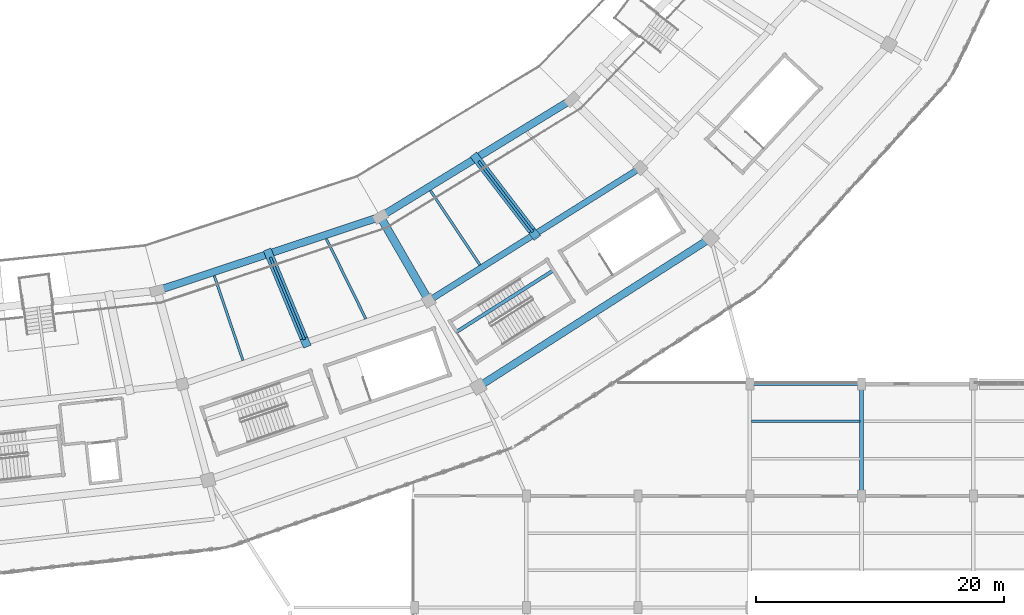
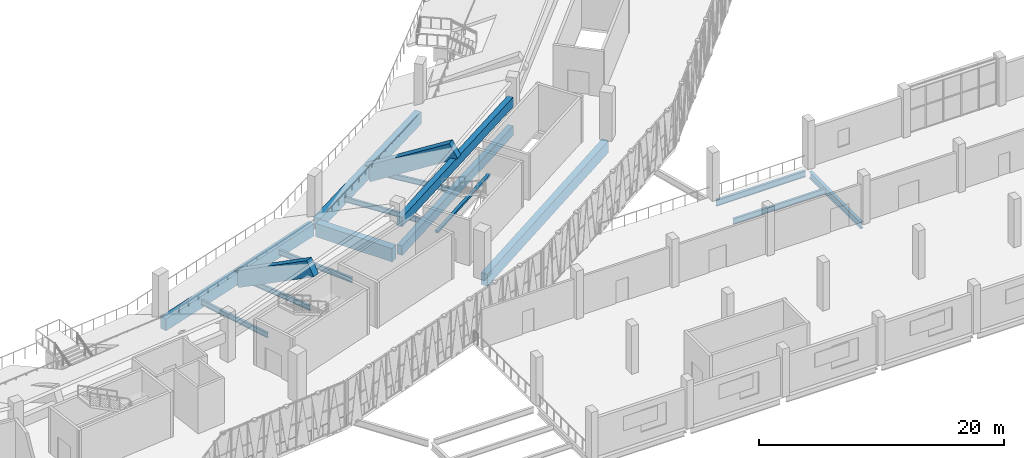
# One storey, part 29 of 152: 17 beams.
"""IFC4 building model written with IfcOpenShell, lengths in metres."""

import ifcopenshell
import ifcopenshell.guid

model = None  # the IFC model being written
_history = None  # IfcOwnerHistory: only IFC2X3 demands one
_inside = {}  # id of a spatial element -> (the spatial element, [elements in it])
_under = {}  # id of a project, library or spatial element -> (it, [spatial elements below it])
_declared = {}  # id of a project -> (the project, [libraries it declares])
_typed = {}  # id of a type object -> (the type object, [elements of that type])
_made_of = {}  # id of a material, layer set ... -> (it, [elements and type objects made of it])


def new_model(schema):
    """Start an empty IFC model of exactly this schema.

    Asked for "IFC4X3", IfcOpenShell would pick the latest addendum, in which some entities
    have other attributes; the version numbers below select the first issue.
    IFC2X3 requires an IfcOwnerHistory on every rooted entity: one is made here for all.
    """
    global model, _history
    if schema == "IFC4X3":
        model = ifcopenshell.file(schema_version=(4, 3, 0, 0))
    else:
        model = ifcopenshell.file(schema=schema)
    _inside.clear()
    _under.clear()
    _declared.clear()
    _typed.clear()
    _made_of.clear()
    _history = None
    if model.schema == "IFC2X3":
        org = make("IfcOrganization", Name="unknown")
        user = make(
            "IfcPersonAndOrganization",
            ThePerson=make("IfcPerson", FamilyName="unknown"),
            TheOrganization=org,
        )
        app = make(
            "IfcApplication",
            ApplicationDeveloper=org,
            Version="unknown",
            ApplicationFullName="unknown",
            ApplicationIdentifier="unknown",
        )
        _history = make(
            "IfcOwnerHistory",
            OwningUser=user,
            OwningApplication=app,
            ChangeAction="ADDED",
            CreationDate=0,
        )
    return model


def make(cls, **values):
    """One entity of the class cls with the attributes given. An attribute that is None is left unset."""
    return model.create_entity(
        cls, **{name: value for name, value in values.items() if value is not None}
    )


def rooted(cls, **values):
    """An entity with a GlobalId (a new one), such as an element, a storey or a relation."""
    return make(cls, GlobalId=ifcopenshell.guid.new(), OwnerHistory=_history, **values)


def si_unit(unit_type, name, prefix=None):
    """IfcSIUnit, for example si_unit("LENGTHUNIT", "METRE", prefix="MILLI")."""
    return make("IfcSIUnit", UnitType=unit_type, Prefix=prefix, Name=name)


def assignment(units):
    """IfcUnitAssignment: the units of a project."""
    return None if units is None else make("IfcUnitAssignment", Units=units)


def point(xyz):
    """IfcCartesianPoint."""
    return None if xyz is None else make("IfcCartesianPoint", Coordinates=xyz)


def direction(xyz):
    """IfcDirection."""
    return None if xyz is None else make("IfcDirection", DirectionRatios=xyz)


def frame(location, z_axis=None, x_axis=None):
    """IfcAxis2Placement3D, a coordinate frame: its origin and axes. An axis left out is left unset."""
    return make(
        "IfcAxis2Placement3D",
        Location=point(location),
        Axis=direction(z_axis),
        RefDirection=direction(x_axis),
    )


def frame_2d(location, x_axis=None):
    """IfcAxis2Placement2D, a coordinate frame in the plane: its origin and x axis."""
    return make(
        "IfcAxis2Placement2D", Location=point(location), RefDirection=direction(x_axis)
    )


def origin():
    """The frame at (0, 0, 0) with its axes left unset."""
    return frame((0.0, 0.0, 0.0))


def origin_2d():
    """The frame at (0, 0) in the plane with its x axis left unset."""
    return frame_2d((0.0, 0.0))


def place(relative_to, where):
    """IfcLocalPlacement: puts the frame where relative to a parent placement (None: the world)."""
    return make(
        "IfcLocalPlacement", PlacementRelTo=relative_to, RelativePlacement=where
    )


def context(
    kind, dimensions, precision=None, world=None, true_north=None, identifier=None
):
    """IfcGeometricRepresentationContext, for example the 3D "Model" context."""
    return make(
        "IfcGeometricRepresentationContext",
        ContextIdentifier=identifier,
        ContextType=kind,
        CoordinateSpaceDimension=dimensions,
        Precision=precision,
        WorldCoordinateSystem=world,
        TrueNorth=true_north,
    )


def subcontext(parent, identifier, kind, view, scale=None):
    """IfcGeometricRepresentationSubContext, for example "Body" below "Model"."""
    return make(
        "IfcGeometricRepresentationSubContext",
        ContextIdentifier=identifier,
        ContextType=kind,
        ParentContext=parent,
        TargetScale=scale,
        TargetView=view,
    )


def project(units=None, contexts=None):
    """IfcProject with its units and contexts."""
    return rooted(
        "IfcProject",
        Name="project",
        RepresentationContexts=contexts,
        UnitsInContext=assignment(units),
    )


def spatial(cls, under=None, at=None, **own):
    """A site, building, storey or space (cls), placed at a placement, below another one or the project."""
    s = rooted(cls, ObjectPlacement=at, **own)
    if under is not None:
        _under.setdefault(under.id(), (under, []))[1].append(s)
    return s


def profile(cls, at=None, kind="AREA", **sizes):
    """A parametric profile (cls). Its sizes go by their IFC names, for example OverallWidth=200.0."""
    return make(cls, ProfileType=kind, Position=at, **sizes)


def rectangle(**sizes):
    """IfcRectangleProfileDef."""
    return profile("IfcRectangleProfileDef", **sizes)


def i_section(**sizes):
    """IfcIShapeProfileDef."""
    return profile("IfcIShapeProfileDef", **sizes)


def extrude(swept, where, along, depth):
    """IfcExtrudedAreaSolid: the profile swept, set in the frame where, extruded along a direction by depth."""
    return make(
        "IfcExtrudedAreaSolid",
        SweptArea=swept,
        Position=where,
        ExtrudedDirection=direction(along),
        Depth=depth,
    )


def shape(context_of_items, identifier, shape_type, items):
    """IfcShapeRepresentation: the items that make up one representation, for example the "Body"."""
    return make(
        "IfcShapeRepresentation",
        ContextOfItems=context_of_items,
        RepresentationIdentifier=identifier,
        RepresentationType=shape_type,
        Items=items,
    )


def material(Name=None, Category=None):
    """IfcMaterial."""
    return make("IfcMaterial", Name=Name, Category=Category)


def material_profile(
    of_material, cross_section, Name=None, Category=None, Priority=None
):
    """IfcMaterialProfile: a cross section and its material."""
    return make(
        "IfcMaterialProfile",
        Name=Name,
        Material=of_material,
        Profile=cross_section,
        Priority=Priority,
        Category=Category,
    )


def profile_set(profiles, Name=None, composite=None):
    """IfcMaterialProfileSet."""
    return make(
        "IfcMaterialProfileSet",
        Name=Name,
        MaterialProfiles=profiles,
        CompositeProfile=composite,
    )


def made_of(thing, what):
    """Note that an element or type object is made of a material, layer set ...; save() writes the relation."""
    if what is not None:
        _made_of.setdefault(what.id(), (what, []))[1].append(thing)
    return thing


def type_object(cls, material=None, **own):
    """A type object (cls), such as IfcWallType, which elements share."""
    return made_of(rooted(cls, **own), material)


def element(
    cls,
    number,
    at=None,
    inside=None,
    cuts=None,
    type_object=None,
    material=None,
    context=None,
    identifier="Body",
    shape_type=None,
    held_by="IfcProductDefinitionShape",
    body=None,
    shapes=None,
    **own,
):
    """One element of the class cls, such as IfcWall. Its Tag is "e" and its number.

    at: its placement. inside: the storey or other place that contains it. cuts: it is an
    opening in that element (IfcRelVoidsElement). A single representation is given by context,
    identifier, shape_type and body (its items); several are given by shapes. held_by: the class
    of the entity that holds the representations. save() writes the other relations.
    """
    e = rooted(cls, Tag="e%d" % number, ObjectPlacement=at, **own)
    if body is not None:
        shapes = [shape(context, identifier, shape_type, body)]
    if shapes is not None:
        e.Representation = make(held_by, Representations=shapes)
    if inside is not None:
        _inside.setdefault(inside.id(), (inside, []))[1].append(e)
    if cuts is not None:
        rooted(
            "IfcRelVoidsElement", RelatingBuildingElement=cuts, RelatedOpeningElement=e
        )
    if type_object is not None:
        _typed.setdefault(type_object.id(), (type_object, []))[1].append(e)
    return made_of(e, material)


def aggregate(whole, parts):
    """IfcRelAggregates: a whole, such as a stair, and the parts it consists of."""
    return rooted("IfcRelAggregates", RelatingObject=whole, RelatedObjects=parts)


def save(model, path):
    """Write the relations noted so far, then the file.

    IfcRelAggregates (storeys below a building ...), IfcRelContainedInSpatialStructure (elements
    in a storey), IfcRelDefinesByType, IfcRelAssociatesMaterial and IfcRelDeclares: one each for
    every whole, place, type object, material and project.
    """
    for whole, parts in _under.values():
        aggregate(whole, parts)
    for where, things in _inside.values():
        rooted(
            "IfcRelContainedInSpatialStructure",
            RelatedElements=things,
            RelatingStructure=where,
        )
    for kind, things in _typed.values():
        rooted("IfcRelDefinesByType", RelatedObjects=things, RelatingType=kind)
    for what, things in _made_of.values():
        rooted("IfcRelAssociatesMaterial", RelatedObjects=things, RelatingMaterial=what)
    for by, libraries in _declared.values():
        rooted("IfcRelDeclares", RelatingContext=by, RelatedDefinitions=libraries)
    model.write(path)


model = new_model("IFC4")

# Units and contexts
model_context = context("Model", 3, precision=1e-05, world=origin(), true_north=direction((0.0, 1.0)))
body_context = subcontext(model_context, "Body", "Model", "MODEL_VIEW")
ifc_project = project(units=[si_unit("LENGTHUNIT", "METRE"), si_unit("AREAUNIT", "SQUARE_METRE"), si_unit("VOLUMEUNIT", "CUBIC_METRE"), si_unit("PLANEANGLEUNIT", "RADIAN"), si_unit("MASSUNIT", "GRAM", prefix="KILO")], contexts=[model_context])

# Site, building, storey
site_placement = place(None, origin())
site = spatial("IfcSite", under=ifc_project, at=site_placement, CompositionType="ELEMENT")
building_placement = place(site_placement, origin())
building = spatial("IfcBuilding", under=site, at=building_placement, Name="Zevraka Park Crest Stadium", CompositionType="ELEMENT")
storey_placement = place(building_placement, frame((0.0, 0.0, 15.0)))
storey = spatial("IfcBuildingStorey", under=building, at=storey_placement, Name="L03", CompositionType="ELEMENT", Elevation=15.0)

# Beams
ifc_material_1 = material(Name="Concrete C40/50", Category="concrete")
ifc_material_profile_1 = material_profile(ifc_material_1, rectangle(XDim=0.64990234375, YDim=1.35009765625, at=origin_2d()), Name="RC 1350x650")
ifc_profile_set_1 = profile_set([ifc_material_profile_1], Name="Concrete C40/50")
beam_type_1 = type_object("IfcBeamType", Name="BG01", PredefinedType="BEAM", material=ifc_profile_set_1)
beam_1_placement = place(storey_placement, frame((149.39990234375, 40.2109375, -0.68505859375), z_axis=(0.500041424909, -0.866001485781, 0.0), x_axis=(0.866001485781, 0.500041424909, 0.0)))
element("IfcBeam", 1, at=beam_1_placement, inside=storey, type_object=beam_type_1, Name="Radial Girder BG01 L03-BC-20", PredefinedType="BEAM", context=body_context, shape_type="SweptSolid", body=[
    extrude(rectangle(XDim=0.64990234375, YDim=1.35009765625, at=origin_2d()), origin(), (0.0, 0.0, 1.0), 7.19970703125),
])
ifc_material_2 = material(Name="Steel S355", Category="steel")
ifc_material_profile_2 = material_profile(ifc_material_2, i_section(OverallWidth=0.300048828125, OverallDepth=0.64990234375, WebThickness=0.01611328125, FlangeThickness=0.031005859375, at=origin_2d()), Name="HEB 650")
ifc_profile_set_2 = profile_set([ifc_material_profile_2], Name="Steel S355")
beam_type_2 = type_object("IfcBeamType", Name="BG07", PredefinedType="BEAM", material=ifc_profile_set_2)
beam_2_placement = place(storey_placement, frame((188.0, 18.300048828125, -0.633056640625), z_axis=(0.0, 1.0, 0.0), x_axis=(-1.0, 0.0, 0.0)))
element("IfcBeam", 2, at=beam_2_placement, inside=storey, type_object=beam_type_2, Name="Wing Girder BG07 L03-21/CD", PredefinedType="BEAM", context=body_context, shape_type="SweptSolid", body=[
    extrude(i_section(OverallWidth=0.300048828125, OverallDepth=0.64990234375, WebThickness=0.01611328125, FlangeThickness=0.031005859375, at=origin_2d()), origin(), (0.0, 0.0, 1.0), 8.39990234375),
])
ifc_material_3 = material(Name="Steel S355", Category="steel")
ifc_material_profile_3 = material_profile(ifc_material_3, i_section(OverallWidth=0.22900390625, OverallDepth=0.612060546875, WebThickness=0.011962890625, FlangeThickness=0.01953125, at=origin_2d()), Name="UKB 610x229x125")
ifc_profile_set_3 = profile_set([ifc_material_profile_3], Name="Steel S355")
beam_type_3 = type_object("IfcBeamType", Name="BG09", PredefinedType="BEAM", material=ifc_profile_set_3)
beam_3_placement = place(storey_placement, frame((179.300048828125, 27.0, -0.614013671875), z_axis=(1.0, 0.0, 0.0), x_axis=(0.0, 1.0, 0.0)))
element("IfcBeam", 3, at=beam_3_placement, inside=storey, type_object=beam_type_3, Name="Wing Girder BG09 L03-2021/D", PredefinedType="BEAM", context=body_context, shape_type="SweptSolid", body=[
    extrude(i_section(OverallWidth=0.22900390625, OverallDepth=0.612060546875, WebThickness=0.011962890625, FlangeThickness=0.01953125, at=origin_2d()), origin(), (0.0, 0.0, 1.0), 8.39990234375),
])
ifc_material_4 = material(Name="Concrete C40/50", Category="concrete")
ifc_material_profile_4 = material_profile(ifc_material_4, rectangle(XDim=0.60009765625, YDim=1.199951171875, at=origin_2d()), Name="RC 1200x600")
ifc_profile_set_4 = profile_set([ifc_material_profile_4], Name="Concrete C40/50")
beam_type_4 = type_object("IfcBeamType", Name="RB01", PredefinedType="BEAM", material=ifc_profile_set_4)
beam_4_placement = place(storey_placement, frame((131.64306640625, 34.64599609375, -0.610107421875), z_axis=(0.949383863235, 0.314118258349, 0.0), x_axis=(-0.314118258349, 0.949383863235, 0.0)))
element("IfcBeam", 4, at=beam_4_placement, inside=storey, type_object=beam_type_4, Name="Ring Beam RB01 L03-B-19", PredefinedType="BEAM", context=body_context, shape_type="SweptSolid", body=[
    extrude(rectangle(XDim=0.60009765625, YDim=1.199951171875, at=origin_2d()), origin(), (0.0, 0.0, 1.0), 18.165283203125),
])
beam_5_placement = place(storey_placement, frame((149.573974609375, 40.669921875, -0.610107421875), z_axis=(0.852632623571, 0.522510869956, 0.0), x_axis=(-0.522510869956, 0.852632623571, 0.0)))
element("IfcBeam", 5, at=beam_5_placement, inside=storey, type_object=beam_type_4, Name="Ring Beam RB01 L03-B-20", PredefinedType="BEAM", context=body_context, shape_type="SweptSolid", body=[
    extrude(rectangle(XDim=0.60009765625, YDim=1.199951171875, at=origin_2d()), origin(), (0.0, 0.0, 1.0), 17.335693359375),
])
beam_6_placement = place(storey_placement, frame((157.469970703125, 26.992919921875, -0.610107421875), z_axis=(0.842325571453, 0.538969045193, 0.0), x_axis=(-0.538969045193, 0.842325571453, 0.0)))
element("IfcBeam", 6, at=beam_6_placement, inside=storey, type_object=beam_type_4, Name="Ring Beam RB01 L03-D-20", PredefinedType="BEAM", context=body_context, shape_type="SweptSolid", body=[
    extrude(rectangle(XDim=0.60009765625, YDim=1.199951171875, at=origin_2d()), origin(), (0.0, 0.0, 1.0), 21.443115234375),
])
ifc_material_5 = material(Name="Concrete C40/50", Category="concrete")
ifc_material_profile_5 = material_profile(ifc_material_5, rectangle(XDim=0.5, YDim=0.949951171875, at=origin_2d()), Name="RC 950x500")
ifc_profile_set_5 = profile_set([ifc_material_profile_5], Name="Concrete C40/50")
beam_type_5 = type_object("IfcBeamType", Name="RB02", PredefinedType="BEAM", material=ifc_profile_set_5)
for number, where, z_axis, x_axis, name in (
    (7, (153.471923828125, 33.91796875, -0.485107421875), (0.847038516183, 0.531531515625, 0.0), (-0.531531515625, 0.847038516183, 0.0), "Ring Beam RB02 L03-C-20"),
    (8, (153.471923828125, 33.91796875, 2.375), (0.847038516183, 0.531531515625, 0.0), (-0.531531515625, 0.847038516183, 0.0), "Upper Tier Head Raker Ring Beam RB02 20"),
):
    element("IfcBeam", number, at=place(storey_placement, frame(where, z_axis=z_axis, x_axis=x_axis)), inside=storey, type_object=beam_type_5, Name=name, PredefinedType="BEAM", context=body_context, shape_type="SweptSolid", body=[
        extrude(rectangle(XDim=0.5, YDim=0.949951171875, at=origin_2d()), origin(), (0.0, 0.0, 1.0), 19.36279296875),
    ])
ifc_material_6 = material(Name="Concrete C40/50", Category="concrete")
ifc_material_profile_6 = material_profile(ifc_material_6, rectangle(XDim=0.64990234375, YDim=1.5, at=origin_2d()), Name="RC 1500x650")
ifc_profile_set_6 = profile_set([ifc_material_profile_6], Name="Concrete C40/50")
beam_type_6 = type_object("IfcBeamType", Name="RK02", PredefinedType="BEAM", material=ifc_profile_set_6)
beam_7_placement = place(storey_placement, frame((140.26611328125, 37.4990234375, -0.800048828125), z_axis=(0.333025449443, -0.803886737331, 0.492808445105), x_axis=(0.92386138518, 0.38272724096, 0.0)))
element("IfcBeam", 9, at=beam_7_placement, inside=storey, type_object=beam_type_6, Name="Upper Bowl Main Raker Girder RK02 19", PredefinedType="BEAM", context=body_context, shape_type="SweptSolid", body=[
    extrude(rectangle(XDim=0.64990234375, YDim=1.5, at=origin_2d()), origin(), (0.0, 0.0, 1.0), 8.88818359375),
])
beam_8_placement = place(storey_placement, frame((156.964111328125, 45.198974609375, -0.800048828125), z_axis=(0.529728491658, -0.690289735888, 0.492836489775), x_axis=(0.7933252828, 0.608797992499, 0.0)))
element("IfcBeam", 10, at=beam_8_placement, inside=storey, type_object=beam_type_6, Name="Upper Bowl Main Raker Girder RK02 20", PredefinedType="BEAM", context=body_context, shape_type="SweptSolid", body=[
    extrude(rectangle(XDim=0.64990234375, YDim=1.5, at=origin_2d()), origin(), (0.0, 0.0, 1.0), 8.8876953125),
])
ifc_material_7 = material(Name="Steel S355", Category="steel")
ifc_material_profile_7 = material_profile(ifc_material_7, i_section(OverallWidth=0.209228515625, OverallDepth=0.533203125, WebThickness=0.010009765625, FlangeThickness=0.015625, at=origin_2d()), Name="UKB 533x210x92")
ifc_profile_set_7 = profile_set([ifc_material_profile_7], Name="Steel S355")
beam_type_7 = type_object("IfcBeamType", Name="SJ05", PredefinedType="JOIST", material=ifc_profile_set_7)
beam_9_placement = place(storey_placement, frame((179.14501953125, 24.0, -0.57666015625), z_axis=(1.0, 0.0, 0.0), x_axis=(0.0, 1.0, 0.0)))
element("IfcBeam", 11, at=beam_9_placement, inside=storey, type_object=beam_type_7, Name="Wing Joist SJ05 L03-20/C-2", PredefinedType="JOIST", context=body_context, shape_type="SweptSolid", body=[
    extrude(i_section(OverallWidth=0.209228515625, OverallDepth=0.533203125, WebThickness=0.010009765625, FlangeThickness=0.015625, at=origin_2d()), origin(), (0.0, 0.0, 1.0), 8.7099609375),
])
ifc_material_8 = material(Name="Steel S355", Category="steel")
ifc_material_profile_8 = material_profile(ifc_material_8, i_section(OverallWidth=0.199951171875, OverallDepth=0.5, WebThickness=0.01025390625, FlangeThickness=0.01611328125, at=origin_2d()), Name="IPE 500")
ifc_profile_set_8 = profile_set([ifc_material_profile_8], Name="Steel S355")
beam_type_8 = type_object("IfcBeamType", Name="SJ10", PredefinedType="JOIST", material=ifc_profile_set_8)
beam_10_placement = place(storey_placement, frame((135.875, 35.715087890625, -0.55810546875), z_axis=(0.321275682742, -0.946985710388, 0.0), x_axis=(0.946985710388, 0.321275682742, 0.0)))
element("IfcBeam", 12, at=beam_10_placement, inside=storey, type_object=beam_type_8, Name="Floor Joist SJ10 L03-BC-19-1", PredefinedType="JOIST", context=body_context, shape_type="SweptSolid", body=[
    extrude(i_section(OverallWidth=0.199951171875, OverallDepth=0.5, WebThickness=0.01025390625, FlangeThickness=0.01611328125, at=origin_2d()), origin(), (0.0, 0.0, 1.0), 7.190185546875),
])
beam_11_placement = place(storey_placement, frame((140.386962890625, 37.2080078125, -0.55810546875), z_axis=(0.382700487371, -0.923872467912, 0.0), x_axis=(0.923872467912, 0.382700487371, 0.0)))
element("IfcBeam", 13, at=beam_11_placement, inside=storey, type_object=beam_type_8, Name="Floor Joist SJ10 L03-BC-19-2", PredefinedType="JOIST", context=body_context, shape_type="SweptSolid", body=[
    extrude(i_section(OverallWidth=0.199951171875, OverallDepth=0.5, WebThickness=0.01025390625, FlangeThickness=0.01611328125, at=origin_2d()), origin(), (0.0, 0.0, 1.0), 7.173095703125),
])
beam_12_placement = place(storey_placement, frame((144.89697265625, 38.702880859375, -0.55810546875), z_axis=(0.442549118131, -0.896744265686, 0.0), x_axis=(0.896744265686, 0.442549118131, 0.0)))
element("IfcBeam", 14, at=beam_12_placement, inside=storey, type_object=beam_type_8, Name="Floor Joist SJ10 L03-BC-19-3", PredefinedType="JOIST", context=body_context, shape_type="SweptSolid", body=[
    extrude(i_section(OverallWidth=0.199951171875, OverallDepth=0.5, WebThickness=0.01025390625, FlangeThickness=0.01611328125, at=origin_2d()), origin(), (0.0, 0.0, 1.0), 7.1904296875),
])
beam_13_placement = place(storey_placement, frame((153.281982421875, 42.572998046875, -0.55810546875), z_axis=(0.555366097338, -0.831605975164, 0.0), x_axis=(0.831605975164, 0.555366097338, 0.0)))
element("IfcBeam", 15, at=beam_13_placement, inside=storey, type_object=beam_type_8, Name="Floor Joist SJ10 L03-BC-20-1", PredefinedType="JOIST", context=body_context, shape_type="SweptSolid", body=[
    extrude(i_section(OverallWidth=0.199951171875, OverallDepth=0.5, WebThickness=0.01025390625, FlangeThickness=0.01611328125, at=origin_2d()), origin(), (0.0, 0.0, 1.0), 7.189697265625),
])
beam_14_placement = place(storey_placement, frame((157.156005859375, 44.948974609375, -0.55810546875), z_axis=(0.608774451346, -0.793343347731, 0.0), x_axis=(0.793343347731, 0.608774451346, 0.0)))
element("IfcBeam", 16, at=beam_14_placement, inside=storey, type_object=beam_type_8, Name="Floor Joist SJ10 L03-BC-20-2", PredefinedType="JOIST", context=body_context, shape_type="SweptSolid", body=[
    extrude(i_section(OverallWidth=0.199951171875, OverallDepth=0.5, WebThickness=0.01025390625, FlangeThickness=0.01611328125, at=origin_2d()), origin(), (0.0, 0.0, 1.0), 7.17333984375),
])
ifc_material_9 = material(Name="Concrete C40/50", Category="concrete")
ifc_material_profile_9 = material_profile(ifc_material_9, rectangle(XDim=0.280029296875, YDim=0.199951171875, at=origin_2d()), Name="RC 200x280")
ifc_profile_set_9 = profile_set([ifc_material_profile_9], Name="Concrete C40/50")
beam_type_9 = type_object("IfcBeamType", Name="SJ13", PredefinedType="JOIST", material=ifc_profile_set_9)
beam_15_placement = place(storey_placement, frame((155.404296875, 31.219482421875, 2.300048828125), z_axis=(0.844404041367, 0.535706836734, 0.0), x_axis=(-0.535706836734, 0.844404041367, 0.0)))
element("IfcBeam", 17, at=beam_15_placement, inside=storey, type_object=beam_type_9, Name="Stair Upper-Flight Longitudinal Stringer SJ13 ST21-L03", PredefinedType="JOIST", context=body_context, shape_type="SweptSolid", body=[
    extrude(rectangle(XDim=0.280029296875, YDim=0.199951171875, at=origin_2d()), origin(), (0.0, 0.0, 1.0), 9.25),
])

save(model, "model.ifc")
